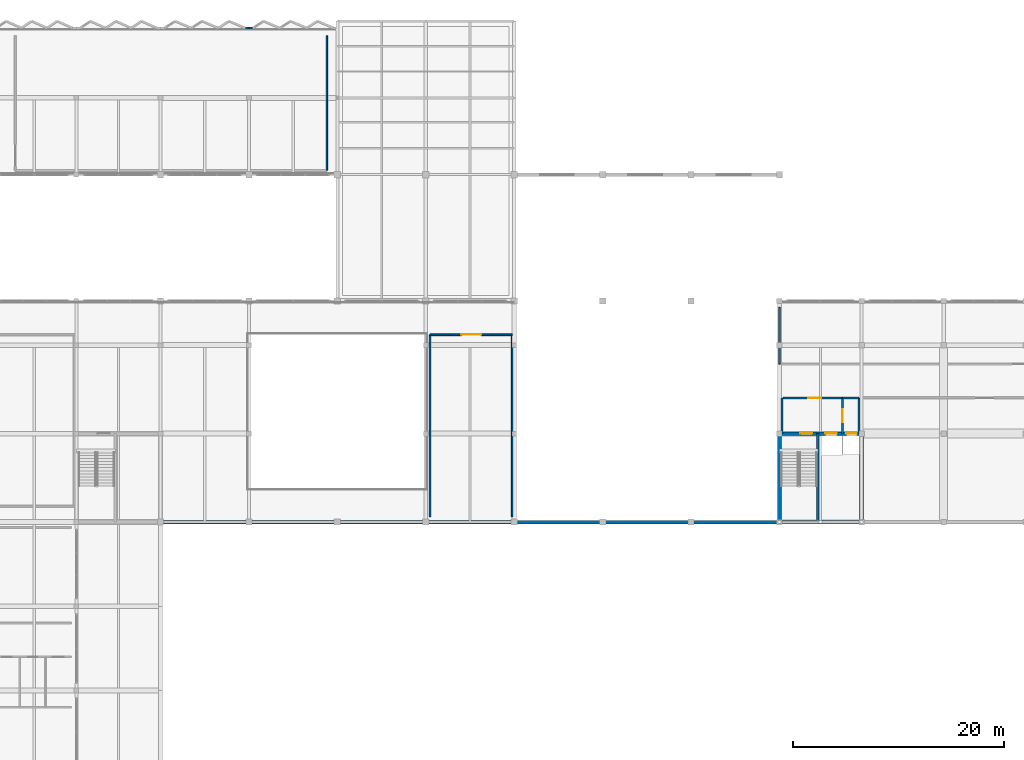
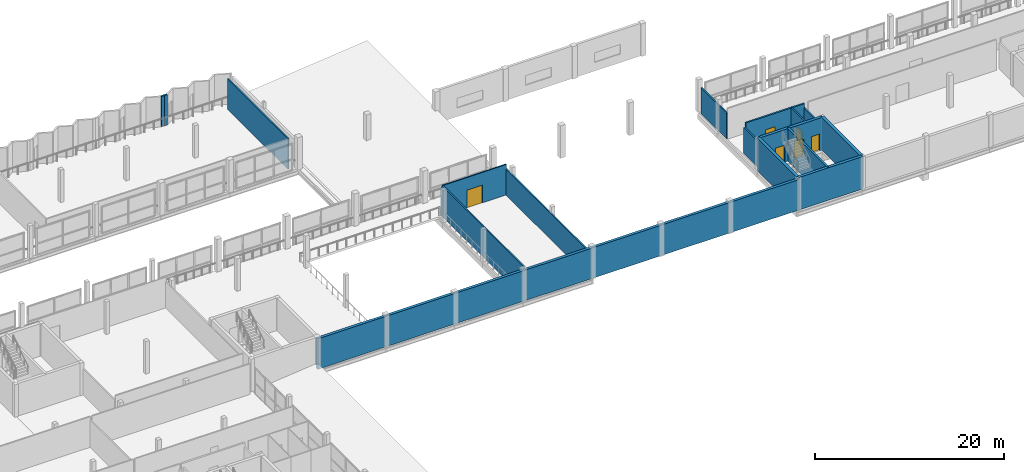
# One storey, part 42 of 53: 18 walls, 6 doors, 6 openings.
"""IFC4 building model written with IfcOpenShell, lengths in metres."""

from ifc_helpers import new_model, si_unit, direction, frame, frame_2d, origin, place, context, subcontext, project, spatial, rectangle, extrude, material, layer, layer_set, type_object, element, fill, save


model = new_model("IFC4")

# Units and contexts
model_context = context("Model", 3, precision=1e-05, world=origin(), true_north=direction((0.0, 1.0)))
body_context = subcontext(model_context, "Body", "Model", "MODEL_VIEW")
ifc_project = project(units=[si_unit("LENGTHUNIT", "METRE"), si_unit("AREAUNIT", "SQUARE_METRE"), si_unit("VOLUMEUNIT", "CUBIC_METRE"), si_unit("PLANEANGLEUNIT", "RADIAN"), si_unit("MASSUNIT", "GRAM", prefix="KILO")], contexts=[model_context])

# Site, building, storey
site_placement = place(None, origin())
site = spatial("IfcSite", under=ifc_project, at=site_placement, CompositionType="ELEMENT")
building_placement = place(site_placement, origin())
building = spatial("IfcBuilding", under=site, at=building_placement, Name="Vharandega Faculty of Natural Sciences", CompositionType="ELEMENT")
storey_placement = place(building_placement, frame((0.0, 0.0, 10.199951171875)))
storey = spatial("IfcBuildingStorey", under=building, at=storey_placement, Name="L02", CompositionType="ELEMENT", Elevation=10.199951171875)

# Walls
ifc_material_1 = material(Name="Precast concrete C40/50", Category="concrete")
ifc_layer_1 = layer(ifc_material_1, 0.2099609375, Name="Precast concrete C40/50")
ifc_layer_set_1 = layer_set([ifc_layer_1], Name="Precast concrete C40/50")
wall_type_1 = type_object("IfcWallType", Name="Commons Sawtooth Street Wall 210", PredefinedType="SOLIDWALL", material=ifc_layer_set_1)
wall_1_placement = place(storey_placement, frame((64.050048828125, 110.949951171875, 0.0), z_axis=(0.0, 0.0, 1.0), x_axis=(1.0, 0.0, 0.0)))
element("IfcWall", 1, at=wall_1_placement, inside=storey, type_object=wall_type_1, Name="Exterior Wall EW-V2SHL-L02-9R", PredefinedType="SOLIDWALL", context=body_context, shape_type="SweptSolid", body=[
    extrude(rectangle(XDim=0.349853515625, YDim=0.2099609375, at=frame_2d((0.1748046875, 0.0))), origin(), (0.0, 0.0, 1.0), 3.920166015625),
])
wall_2_placement = place(storey_placement, frame((64.39990234375, 110.949951171875, 0.0), z_axis=(0.0, 0.0, 1.0), x_axis=(1.0, 0.0, 0.0)))
element("IfcWall", 2, at=wall_2_placement, inside=storey, type_object=wall_type_1, Name="Exterior Wall EW-V2SHL-L02-9L", PredefinedType="SOLIDWALL", context=body_context, shape_type="SweptSolid", body=[
    extrude(rectangle(XDim=0.35009765625, YDim=0.2099609375, at=frame_2d((0.175048828125, 0.0))), origin(), (0.0, 0.0, 1.0), 3.920166015625),
])
ifc_material_2 = material(Name="Concrete C40/50", Category="concrete")
ifc_layer_2 = layer(ifc_material_2, 0.35009765625, Name="Concrete C40/50")
ifc_layer_set_2 = layer_set([ifc_layer_2], Name="Concrete C40/50")
wall_type_2 = type_object("IfcWallType", Name="Core Shear Wall 350", PredefinedType="SHEAR", material=ifc_layer_set_2)
wall_3_placement = place(storey_placement, frame((114.800048828125, 64.0, 0.0), z_axis=(0.0, 0.0, 1.0), x_axis=(1.0, 0.0, 0.0)))
element("IfcWall", 3, at=wall_3_placement, inside=storey, type_object=wall_type_2, Name="Interior Wall CW-C1-L02-S", PredefinedType="SHEAR", context=body_context, shape_type="SweptSolid", body=[
    extrude(rectangle(XDim=7.800048828125, YDim=0.35009765625, at=frame_2d((3.89990234375, 0.0))), origin(), (0.0, 0.0, 1.0), 4.199951171875),
])
for number, where, z_axis, x_axis, name in (
    (4, (114.800048828125, 64.0, 0.0), (0.0, 0.0, 1.0), (0.0, 1.0, 0.0), "Interior Wall CW-C1-L02-W"),
    (5, (122.60009765625, 64.0, 0.0), (0.0, 0.0, 1.0), (0.0, 1.0, 0.0), "Interior Wall CW-C1-L02-E"),
):
    element("IfcWall", number, at=place(storey_placement, frame(where, z_axis=z_axis, x_axis=x_axis)), inside=storey, type_object=wall_type_2, Name=name, PredefinedType="SHEAR", context=body_context, shape_type="SweptSolid", body=[
        extrude(rectangle(XDim=8.39990234375, YDim=0.35009765625, at=frame_2d((4.199951171875, 0.0))), origin(), (0.0, 0.0, 1.0), 4.199951171875),
    ])

# Wall, openings, doors
wall_4_placement = place(storey_placement, frame((114.800048828125, 72.39990234375, 0.0), z_axis=(0.0, 0.0, 1.0), x_axis=(1.0, 0.0, 0.0)))
wall_4 = element("IfcWall", 6, at=wall_4_placement, inside=storey, type_object=wall_type_2, Name="Interior Wall CW-C1-L02-N", PredefinedType="SHEAR", context=body_context, shape_type="SweptSolid", body=[
    extrude(rectangle(XDim=7.800048828125, YDim=0.35009765625, at=frame_2d((3.89990234375, 0.0))), origin(), (0.0, 0.0, 1.0), 4.199951171875),
])
opening_1_placement = place(wall_4_placement, frame((1.97998046875, 0.0, 0.0)))
opening_1 = element("IfcOpeningElement", 7, at=opening_1_placement, cuts=wall_4, Name="Opening FD1", PredefinedType="OPENING", context=body_context, shape_type="SweptSolid", body=[
    extrude(rectangle(XDim=1.14990234375, YDim=2.199951171875, at=frame_2d((0.574951171875, 1.10009765625))), frame((0.0, 0.18505859375, 0.0), z_axis=(0.0, -1.0, 0.0), x_axis=(1.0, 0.0, 0.0)), (0.0, 0.0, 1.0), 0.3701171875),
])
opening_2_placement = place(wall_4_placement, frame((4.35009765625, 0.0, 0.0)))
opening_2 = element("IfcOpeningElement", 8, at=opening_2_placement, cuts=wall_4, Name="Opening LD-FL1-L02", PredefinedType="OPENING", context=body_context, shape_type="SweptSolid", body=[
    extrude(rectangle(XDim=1.10009765625, YDim=2.14990234375, at=frame_2d((0.550048828125, 1.074951171875))), frame((0.0, 0.18505859375, 0.0), z_axis=(0.0, -1.0, 0.0), x_axis=(1.0, 0.0, 0.0)), (0.0, 0.0, 1.0), 0.3701171875),
])
opening_3_placement = place(wall_4_placement, frame((6.360107421875, 0.0, 0.0)))
opening_3 = element("IfcOpeningElement", 9, at=opening_3_placement, cuts=wall_4, Name="Opening LD-LP1-L02", PredefinedType="OPENING", context=body_context, shape_type="SweptSolid", body=[
    extrude(rectangle(XDim=1.0, YDim=2.14990234375, at=frame_2d((0.5, 1.074951171875))), frame((0.0, 0.18505859375, 0.0), z_axis=(0.0, -1.0, 0.0), x_axis=(1.0, 0.0, 0.0)), (0.0, 0.0, 1.0), 0.3701171875),
])
ifc_material_3 = material(Name="Solid-core hardwood timber fire door", Category="wood")
door_type_1 = type_object("IfcDoorType", Name="FD1-STAIR-1150x2200", OperationType="NOTDEFINED", PredefinedType="DOOR", material=ifc_material_3)
door_1_placement = place(opening_1_placement, origin())
door_1 = element("IfcDoor", 10, at=door_1_placement, inside=storey, type_object=door_type_1, Name="Stair ST1 Fire Door FD1", OperationType="SINGLE_SWING_LEFT", OverallHeight=2.199951171875, OverallWidth=1.14990234375, PredefinedType="DOOR", context=body_context, shape_type="SweptSolid", body=[
    extrude(rectangle(XDim=1.14990234375, YDim=2.199951171875, at=frame_2d((0.574951171875, 1.10009765625))), frame((0.0, 0.02490234375, 0.0), z_axis=(0.0, -1.0, 0.0), x_axis=(1.0, 0.0, 0.0)), (0.0, 0.0, 1.0), 0.050048828125),
])
fill(opening_1, door_1)
ifc_material_4 = material(Name="Brushed stainless steel sliding landing door", Category="steel")
door_type_2 = type_object("IfcDoorType", Name="LD1-FFLIFT-SLIDING-1100x2150", OperationType="DOUBLE_DOOR_SLIDING", PredefinedType="DOOR", material=ifc_material_4)
door_2_placement = place(opening_2_placement, origin())
door_2 = element("IfcDoor", 11, at=door_2_placement, inside=storey, type_object=door_type_2, Name="Lift Landing Door LD-FL1-L02", OperationType="DOUBLE_DOOR_SLIDING", OverallHeight=2.14990234375, OverallWidth=1.10009765625, PredefinedType="DOOR", context=body_context, shape_type="SweptSolid", body=[
    extrude(rectangle(XDim=1.10009765625, YDim=2.14990234375, at=frame_2d((0.550048828125, 1.074951171875))), frame((0.0, 0.02490234375, 0.0), z_axis=(0.0, -1.0, 0.0), x_axis=(1.0, 0.0, 0.0)), (0.0, 0.0, 1.0), 0.050048828125),
])
fill(opening_2, door_2)
ifc_material_5 = material(Name="Brushed stainless steel sliding landing door", Category="steel")
door_type_3 = type_object("IfcDoorType", Name="LD2-PAXLIFT-SLIDING-1000x2150", OperationType="DOUBLE_DOOR_SLIDING", PredefinedType="DOOR", material=ifc_material_5)
door_3_placement = place(opening_3_placement, origin())
door_3 = element("IfcDoor", 12, at=door_3_placement, inside=storey, type_object=door_type_3, Name="Lift Landing Door LD-LP1-L02", OperationType="DOUBLE_DOOR_SLIDING", OverallHeight=2.14990234375, OverallWidth=1.0, PredefinedType="DOOR", context=body_context, shape_type="SweptSolid", body=[
    extrude(rectangle(XDim=1.0, YDim=2.14990234375, at=frame_2d((0.5, 1.074951171875))), frame((0.0, 0.02490234375, 0.0), z_axis=(0.0, -1.0, 0.0), x_axis=(1.0, 0.0, 0.0)), (0.0, 0.0, 1.0), 0.050048828125),
])
fill(opening_3, door_3)

# Wall, opening, door
ifc_material_6 = material(Name="Concrete C40/50", Category="concrete")
ifc_layer_3 = layer(ifc_material_6, 0.199951171875, Name="Concrete C40/50")
ifc_layer_set_3 = layer_set([ifc_layer_3], Name="Concrete C40/50")
wall_type_3 = type_object("IfcWallType", Name="Firefighting Lobby Wall 200", PredefinedType="PARTITIONING", material=ifc_layer_set_3)
wall_5_placement = place(storey_placement, frame((115.14990234375, 75.800048828125, 0.0), z_axis=(0.0, 0.0, 1.0), x_axis=(1.0, 0.0, 0.0)))
wall_5 = element("IfcWall", 13, at=wall_5_placement, inside=storey, type_object=wall_type_3, Name="Interior Wall PW-FFL-C1-L02-N", PredefinedType="PARTITIONING", context=body_context, shape_type="SweptSolid", body=[
    extrude(rectangle(XDim=5.650146484375, YDim=0.199951171875, at=frame_2d((2.8251953125, 0.0))), origin(), (0.0, 0.0, 1.0), 3.920166015625),
])
opening_4_placement = place(wall_5_placement, frame((2.39990234375, 0.0, 0.0)))
opening_4 = element("IfcOpeningElement", 14, at=opening_4_placement, cuts=wall_5, Name="Opening FD2", PredefinedType="OPENING", context=body_context, shape_type="SweptSolid", body=[
    extrude(rectangle(XDim=1.199951171875, YDim=2.199951171875, at=frame_2d((0.60009765625, 1.10009765625))), frame((0.0, 0.10986328125, 0.0), z_axis=(0.0, -1.0, 0.0), x_axis=(1.0, 0.0, 0.0)), (0.0, 0.0, 1.0), 0.219970703125),
])
ifc_material_7 = material(Name="Solid-core hardwood timber fire door", Category="wood")
door_type_4 = type_object("IfcDoorType", Name="FD2-FFLOBBY-1200x2200", OperationType="NOTDEFINED", PredefinedType="DOOR", material=ifc_material_7)
door_4_placement = place(opening_4_placement, origin())
door_4 = element("IfcDoor", 15, at=door_4_placement, inside=storey, type_object=door_type_4, Name="Firefighting Lobby C1 Door FD2", OperationType="SINGLE_SWING_LEFT", OverallHeight=2.199951171875, OverallWidth=1.199951171875, PredefinedType="DOOR", context=body_context, shape_type="SweptSolid", body=[
    extrude(rectangle(XDim=1.199951171875, YDim=2.199951171875, at=frame_2d((0.60009765625, 1.10009765625))), frame((0.0, 0.02490234375, 0.0), z_axis=(0.0, -1.0, 0.0), x_axis=(1.0, 0.0, 0.0)), (0.0, 0.0, 1.0), 0.050048828125),
])
fill(opening_4, door_4)

# Wall
wall_6_placement = place(storey_placement, frame((115.050048828125, 72.39990234375, 0.0), z_axis=(0.0, 0.0, 1.0), x_axis=(0.0, 1.0, 0.0)))
element("IfcWall", 16, at=wall_6_placement, inside=storey, type_object=wall_type_3, Name="Interior Wall PW-FFL-C1-L02-W", PredefinedType="PARTITIONING", context=body_context, shape_type="SweptSolid", body=[
    extrude(rectangle(XDim=3.400146484375, YDim=0.199951171875, at=frame_2d((1.7001953125, 0.0))), origin(), (0.0, 0.0, 1.0), 3.360107421875),
])

# Wall, opening, door
wall_7_placement = place(storey_placement, frame((120.800048828125, 72.39990234375, 0.0), z_axis=(0.0, 0.0, 1.0), x_axis=(0.0, 1.0, 0.0)))
wall_7 = element("IfcWall", 17, at=wall_7_placement, inside=storey, type_object=wall_type_3, Name="Interior Wall PW-FFL-C1-L02-E", PredefinedType="PARTITIONING", context=body_context, shape_type="SweptSolid", body=[
    extrude(rectangle(XDim=3.400146484375, YDim=0.199951171875, at=frame_2d((1.7001953125, 0.0))), origin(), (0.0, 0.0, 1.0), 3.920166015625),
])
opening_5_placement = place(wall_7_placement, frame((1.10009765625, 0.0, 0.0)))
opening_5 = element("IfcOpeningElement", 18, at=opening_5_placement, cuts=wall_7, Name="Opening FD2", PredefinedType="OPENING", context=body_context, shape_type="SweptSolid", body=[
    extrude(rectangle(XDim=1.199951171875, YDim=2.199951171875, at=frame_2d((0.60009765625, 1.10009765625))), frame((0.0, 0.10986328125, 0.0), z_axis=(0.0, -1.0, 0.0), x_axis=(1.0, 0.0, 0.0)), (0.0, 0.0, 1.0), 0.219970703125),
])
door_5_placement = place(opening_5_placement, origin())
door_5 = element("IfcDoor", 19, at=door_5_placement, inside=storey, type_object=door_type_4, Name="Lobby Interconnect C1 Door FD2", OperationType="SINGLE_SWING_RIGHT", OverallHeight=2.199951171875, OverallWidth=1.199951171875, PredefinedType="DOOR", context=body_context, shape_type="SweptSolid", body=[
    extrude(rectangle(XDim=1.199951171875, YDim=2.199951171875, at=frame_2d((0.60009765625, 1.10009765625))), frame((0.0, 0.02490234375, 0.0), z_axis=(0.0, -1.0, 0.0), x_axis=(1.0, 0.0, 0.0)), (0.0, 0.0, 1.0), 0.050048828125),
])
fill(opening_5, door_5)

# Walls
wall_8_placement = place(storey_placement, frame((120.800048828125, 75.800048828125, 0.0), z_axis=(0.0, 0.0, 1.0), x_axis=(1.0, 0.0, 0.0)))
element("IfcWall", 20, at=wall_8_placement, inside=storey, type_object=wall_type_3, Name="Interior Wall PW-LL-C1-L02-N", PredefinedType="PARTITIONING", context=body_context, shape_type="SweptSolid", body=[
    extrude(rectangle(XDim=1.550048828125, YDim=0.199951171875, at=frame_2d((0.77490234375, 0.0))), origin(), (0.0, 0.0, 1.0), 3.920166015625),
])
wall_9_placement = place(storey_placement, frame((122.35009765625, 72.39990234375, 0.0), z_axis=(0.0, 0.0, 1.0), x_axis=(0.0, 1.0, 0.0)))
element("IfcWall", 21, at=wall_9_placement, inside=storey, type_object=wall_type_3, Name="Interior Wall PW-LL-C1-L02-E", PredefinedType="PARTITIONING", context=body_context, shape_type="SweptSolid", body=[
    extrude(rectangle(XDim=3.400146484375, YDim=0.199951171875, at=frame_2d((1.7001953125, 0.0))), origin(), (0.0, 0.0, 1.0), 3.360107421875),
])
ifc_material_8 = material(Name="Granite ashlar masonry 25 MPa", Category="masonry")
ifc_layer_4 = layer(ifc_material_8, 0.340087890625, Name="Granite ashlar masonry 25 MPa")
ifc_layer_set_4 = layer_set([ifc_layer_4], Name="Granite ashlar masonry 25 MPa")
wall_type_4 = type_object("IfcWallType", Name="Imperforate Party Wall 340", PredefinedType="SOLIDWALL", material=ifc_layer_set_4)
wall_10_placement = place(storey_placement, frame((114.800048828125, 64.0, 0.0), z_axis=(0.0, 0.0, 1.0), x_axis=(-1.0, 0.0, 0.0)))
element("IfcWall", 22, at=wall_10_placement, inside=storey, type_object=wall_type_4, Name="Exterior Wall EW-PTY-L02-J1", PredefinedType="SOLIDWALL", context=body_context, shape_type="SweptSolid", body=[
    extrude(rectangle(XDim=58.800048828125, YDim=0.340087890625, at=frame_2d((29.39990234375, 0.0))), origin(), (0.0, 0.0, 1.0), 3.93994140625),
])
ifc_material_9 = material(Name="Gypsum fire-board on steel stud", Category="steel")
ifc_layer_5 = layer(ifc_material_9, 0.159912109375, Name="Gypsum fire-board on steel stud")
ifc_layer_set_5 = layer_set([ifc_layer_5], Name="Gypsum fire-board on steel stud")
wall_type_5 = type_object("IfcWallType", Name="Laboratory Fire Corridor Wall 160", PredefinedType="PARTITIONING", material=ifc_layer_set_5)
wall_11_placement = place(storey_placement, frame((71.800048828125, 97.39990234375, 0.0), z_axis=(0.0, 0.0, 1.0), x_axis=(0.0, 1.0, 0.0)))
element("IfcWall", 23, at=wall_11_placement, inside=storey, type_object=wall_type_5, Name="Interior Wall PW-L02-R11E", PredefinedType="PARTITIONING", context=body_context, shape_type="SweptSolid", body=[
    extrude(rectangle(XDim=12.800048828125, YDim=0.159912109375, at=frame_2d((6.39990234375, 0.0))), origin(), (0.0, 0.0, 1.0), 3.93994140625),
])

# Wall, opening, door
wall_12_placement = place(storey_placement, frame((81.60009765625, 81.800048828125, 0.0), z_axis=(0.0, 0.0, 1.0), x_axis=(1.0, 0.0, 0.0)))
wall_12 = element("IfcWall", 24, at=wall_12_placement, inside=storey, type_object=wall_type_5, Name="Interior Wall PW-L02-R14N", PredefinedType="PARTITIONING", context=body_context, shape_type="SweptSolid", body=[
    extrude(rectangle(XDim=7.7998046875, YDim=0.159912109375, at=frame_2d((3.89990234375, 0.0))), origin(), (0.0, 0.0, 1.0), 3.93994140625),
])
opening_6_placement = place(wall_12_placement, frame((2.949951171875, 0.0, 0.0)))
opening_6 = element("IfcOpeningElement", 25, at=opening_6_placement, cuts=wall_12, Name="Opening D0278", PredefinedType="OPENING", context=body_context, shape_type="SweptSolid", body=[
    extrude(rectangle(XDim=1.89990234375, YDim=2.300048828125, at=frame_2d((0.949951171875, 1.14990234375))), frame((0.0, 0.08984375, 0.0), z_axis=(0.0, -1.0, 0.0), x_axis=(1.0, 0.0, 0.0)), (0.0, 0.0, 1.0), 0.179931640625),
])
ifc_material_10 = material(Name="Solid-core hardwood timber fire door", Category="wood")
door_type_5 = type_object("IfcDoorType", Name="ID08-COMMONS-DBL-1900x2300", OperationType="DOUBLE_DOOR_SINGLE_SWING", PredefinedType="DOOR", material=ifc_material_10)
door_6_placement = place(opening_6_placement, origin())
door_6 = element("IfcDoor", 26, at=door_6_placement, inside=storey, type_object=door_type_5, Name="L02 Atrium East Study Gallery Door D0278", OperationType="DOUBLE_DOOR_SINGLE_SWING", OverallHeight=2.300048828125, OverallWidth=1.89990234375, PredefinedType="DOOR", context=body_context, shape_type="SweptSolid", body=[
    extrude(rectangle(XDim=1.89990234375, YDim=2.300048828125, at=frame_2d((0.949951171875, 1.14990234375))), frame((0.0, 0.02490234375, 0.0), z_axis=(0.0, -1.0, 0.0), x_axis=(1.0, 0.0, 0.0)), (0.0, 0.0, 1.0), 0.050048828125),
])
fill(opening_6, door_6)

# Walls
wall_13_placement = place(storey_placement, frame((81.60009765625, 64.5, 0.0), z_axis=(0.0, 0.0, 1.0), x_axis=(0.0, 1.0, 0.0)))
element("IfcWall", 27, at=wall_13_placement, inside=storey, type_object=wall_type_5, Name="Interior Wall PW-L02-R14W", PredefinedType="PARTITIONING", context=body_context, shape_type="SweptSolid", body=[
    extrude(rectangle(XDim=17.300048828125, YDim=0.159912109375, at=frame_2d((8.64990234375, 0.0))), origin(), (0.0, 0.0, 1.0), 3.93994140625),
])
wall_14_placement = place(storey_placement, frame((89.39990234375, 64.5, 0.0), z_axis=(0.0, 0.0, 1.0), x_axis=(0.0, 1.0, 0.0)))
element("IfcWall", 28, at=wall_14_placement, inside=storey, type_object=wall_type_5, Name="Interior Wall PW-L02-R14E", PredefinedType="PARTITIONING", context=body_context, shape_type="SweptSolid", body=[
    extrude(rectangle(XDim=17.300048828125, YDim=0.159912109375, at=frame_2d((8.64990234375, 0.0))), origin(), (0.0, 0.0, 1.0), 3.360107421875),
])
wall_15_placement = place(storey_placement, frame((114.800048828125, 79.0, 0.0), z_axis=(0.0, 0.0, 1.0), x_axis=(0.0, 1.0, 0.0)))
element("IfcWall", 29, at=wall_15_placement, inside=storey, type_object=wall_type_5, Name="Interior Wall PW-L02-R16W", PredefinedType="PARTITIONING", context=body_context, shape_type="SweptSolid", body=[
    extrude(rectangle(XDim=5.39990234375, YDim=0.159912109375, at=frame_2d((2.699951171875, 0.0))), origin(), (0.0, 0.0, 1.0), 3.360107421875),
])
ifc_material_11 = material(Name="Concrete C40/50", Category="concrete")
ifc_layer_6 = layer(ifc_material_11, 0.260009765625, Name="Concrete C40/50")
ifc_layer_set_6 = layer_set([ifc_layer_6], Name="Concrete C40/50")
wall_type_6 = type_object("IfcWallType", Name="Lift Shaft Shear Wall 260", PredefinedType="SHEAR", material=ifc_layer_set_6)
wall_16_placement = place(storey_placement, frame((118.43994140625, 64.0, 0.0), z_axis=(0.0, 0.0, 1.0), x_axis=(0.0, 1.0, 0.0)))
element("IfcWall", 30, at=wall_16_placement, inside=storey, type_object=wall_type_6, Name="Interior Wall CW-C1-L02-DIV", PredefinedType="SHEAR", context=body_context, shape_type="SweptSolid", body=[
    extrude(rectangle(XDim=8.39990234375, YDim=0.260009765625, at=frame_2d((4.199951171875, 0.0))), origin(), (0.0, 0.0, 1.0), 4.199951171875),
])

save(model, "model.ifc")
